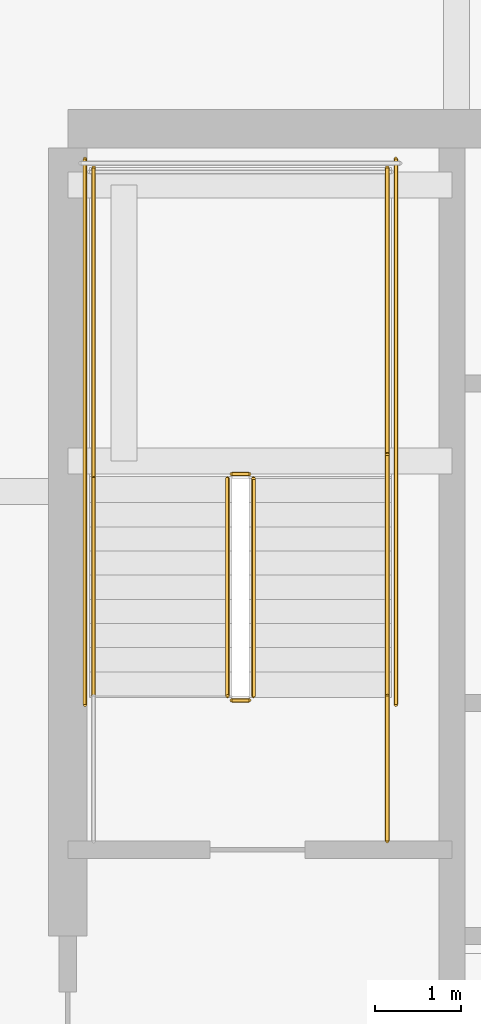
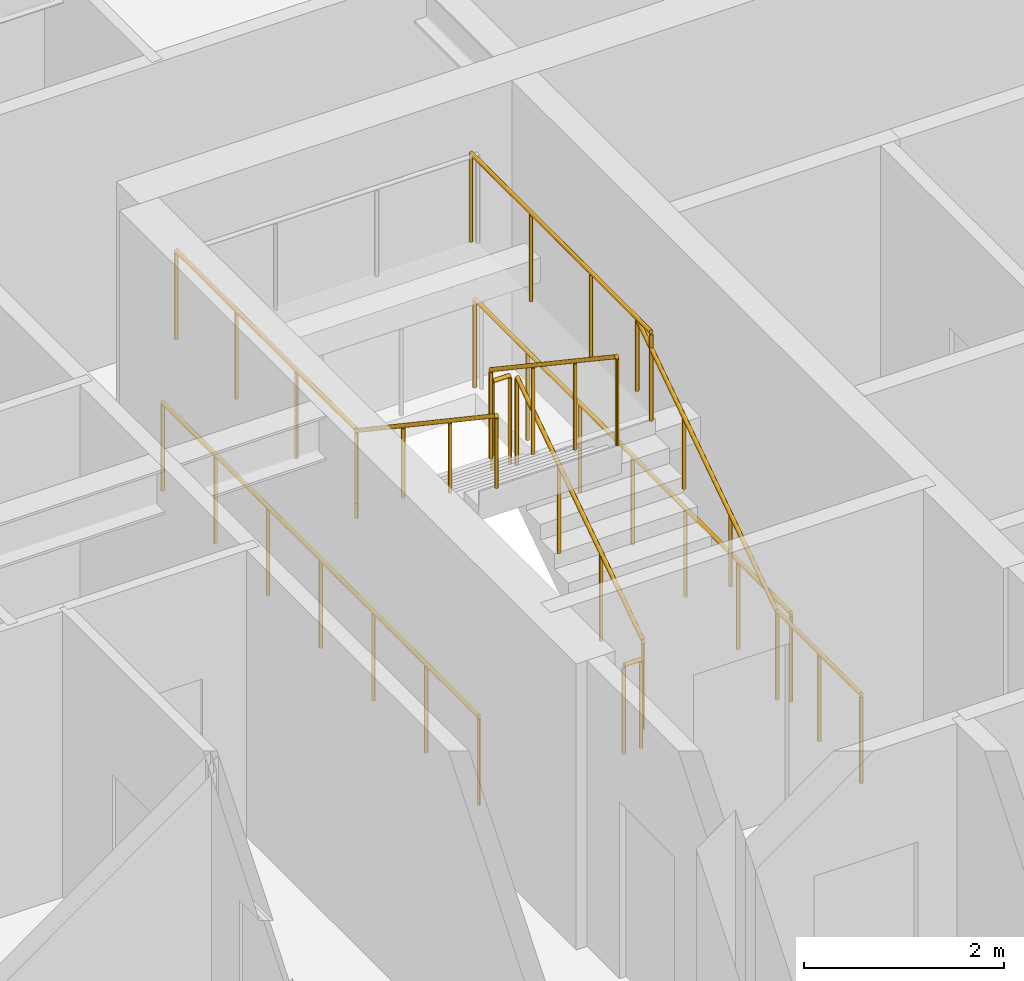
# One storey, part 36 of 39: 11 railings.
"""IFC4 building model written with IfcOpenShell, lengths in metres."""

from ifc_helpers import new_model, si_unit, direction, frame, origin, origin_2d, place, context, subcontext, project, spatial, circle, extrude, material, type_object, element, save


model = new_model("IFC4")

# Units and contexts
model_context = context("Model", 3, precision=1e-05, world=origin(), true_north=direction((0.0, 1.0)))
body_context = subcontext(model_context, "Body", "Model", "MODEL_VIEW")
ifc_project = project(units=[si_unit("LENGTHUNIT", "METRE"), si_unit("AREAUNIT", "SQUARE_METRE"), si_unit("VOLUMEUNIT", "CUBIC_METRE"), si_unit("PLANEANGLEUNIT", "RADIAN"), si_unit("MASSUNIT", "GRAM", prefix="KILO")], contexts=[model_context])

# Site, building, storey
site_placement = place(None, origin())
site = spatial("IfcSite", under=ifc_project, at=site_placement, CompositionType="ELEMENT")
building_placement = place(site_placement, origin())
building = spatial("IfcBuilding", under=site, at=building_placement, Name="Serunith Strait Residences", CompositionType="ELEMENT")
storey_placement = place(building_placement, frame((0.0, 0.0, 97.949951171875)))
storey = spatial("IfcBuildingStorey", under=building, at=storey_placement, Name="L24", CompositionType="ELEMENT", Elevation=97.949951171875)

# Railings
ifc_material = material(Name="Brushed stainless steel 316L", Category="steel")
railing_type_1 = type_object("IfcRailingType", Name="RLG-STAIR-GUARD", PredefinedType="BALUSTRADE", material=ifc_material)
railing_1_placement = place(storey_placement, frame((25.550048828125, 27.030029296875, 0.1875)))
element("IfcRailing", 1, at=railing_1_placement, inside=storey, type_object=railing_type_1, Name="L24 ST-1 stair guard 1", PredefinedType="BALUSTRADE", context=body_context, shape_type="SweptSolid", body=[
    extrude(circle(Radius=0.02392578125, at=origin_2d()), frame((0.0, 0.001708984375, 1.0771484375), z_axis=(0.0, 0.830909170722, 0.55640807867), x_axis=(-1.0, 0.0, 0.0)), (0.0, 0.0, 1.0), 3.02880859375),
    extrude(circle(Radius=0.02099609375, at=origin_2d()), origin(), (0.0, 0.0, 1.0), 1.050048828125),
    extrude(circle(Radius=0.02099609375, at=origin_2d()), frame((0.0, 0.840087890625, 0.5625)), (0.0, 0.0, 1.0), 1.050048828125),
    extrude(circle(Radius=0.02099609375, at=origin_2d()), frame((0.0, 1.679931640625, 1.125)), (0.0, 0.0, 1.0), 1.050048828125),
    extrude(circle(Radius=0.02099609375, at=origin_2d()), frame((0.0, 2.52001953125, 1.6875)), (0.0, 0.0, 1.0), 1.050048828125),
])
railing_2_placement = place(storey_placement, frame((25.5, 29.60009765625, 1.875)))
element("IfcRailing", 2, at=railing_2_placement, inside=storey, type_object=railing_type_1, Name="L24 ST-1 stair guard 2", PredefinedType="BALUSTRADE", context=body_context, shape_type="SweptSolid", body=[
    extrude(circle(Radius=0.02392578125, at=origin_2d()), frame((-0.001953125, 0.0, 1.076171875), z_axis=(-1.0, 0.0, 0.0), x_axis=(0.0, -1.0, 0.0)), (0.0, 0.0, 1.0), 0.196044921875),
    extrude(circle(Radius=0.02099609375, at=origin_2d()), origin(), (0.0, 0.0, 1.0), 1.050048828125),
    extrude(circle(Radius=0.02099609375, at=origin_2d()), frame((-0.199951171875, 0.0, 0.0)), (0.0, 0.0, 1.0), 1.050048828125),
])
for number, where, name in (
    (3, (27.10009765625, 29.550048828125, 1.875), "L24 ST-1 stair guard 3"),
    (4, (23.699951171875, 29.550048828125, 1.875), "L24 ST-1 stair guard 4"),
):
    element("IfcRailing", number, at=place(storey_placement, frame(where)), inside=storey, type_object=railing_type_1, Name=name, PredefinedType="BALUSTRADE", context=body_context, shape_type="SweptSolid", body=[
        extrude(circle(Radius=0.02392578125, at=origin_2d()), frame((0.0, 0.001953125, 1.076171875), z_axis=(0.0, 1.0, 0.0), x_axis=(-1.0, 0.0, 0.0)), (0.0, 0.0, 1.0), 3.595947265625),
        extrude(circle(Radius=0.02099609375, at=origin_2d()), origin(), (0.0, 0.0, 1.0), 1.050048828125),
        extrude(circle(Radius=0.02099609375, at=origin_2d()), frame((0.0, 1.199951171875, 0.0)), (0.0, 0.0, 1.0), 1.050048828125),
        extrude(circle(Radius=0.02099609375, at=origin_2d()), frame((0.0, 2.39990234375, 0.0)), (0.0, 0.0, 1.0), 1.050048828125),
        extrude(circle(Radius=0.02099609375, at=origin_2d()), frame((0.0, 3.599853515625, 0.0)), (0.0, 0.0, 1.0), 1.050048828125),
    ])
railing_3_placement = place(storey_placement, frame((25.25, 29.550048828125, 2.0625)))
element("IfcRailing", 5, at=railing_3_placement, inside=storey, type_object=railing_type_1, Name="L24 ST-1 stair guard 6", PredefinedType="BALUSTRADE", context=body_context, shape_type="SweptSolid", body=[
    extrude(circle(Radius=0.02392578125, at=origin_2d()), frame((0.0, -0.001708984375, 1.0771484375), z_axis=(0.0, -0.830909170722, 0.55640807867), x_axis=(1.0, 0.0, 0.0)), (0.0, 0.0, 1.0), 3.02880859375),
    extrude(circle(Radius=0.02099609375, at=origin_2d()), origin(), (0.0, 0.0, 1.0), 1.050048828125),
    extrude(circle(Radius=0.02099609375, at=origin_2d()), frame((0.0, -0.840087890625, 0.5625)), (0.0, 0.0, 1.0), 1.050048828125),
    extrude(circle(Radius=0.02099609375, at=origin_2d()), frame((0.0, -1.679931640625, 1.125)), (0.0, 0.0, 1.0), 1.050048828125),
    extrude(circle(Radius=0.02099609375, at=origin_2d()), frame((0.0, -2.52001953125, 1.6875)), (0.0, 0.0, 1.0), 1.050048828125),
])
railing_4_placement = place(storey_placement, frame((25.5, 26.97998046875, 0.0)))
element("IfcRailing", 6, at=railing_4_placement, inside=storey, type_object=railing_type_1, Name="L24 ST-1 stair guard 7", PredefinedType="BALUSTRADE", context=body_context, shape_type="SweptSolid", body=[
    extrude(circle(Radius=0.02392578125, at=origin_2d()), frame((-0.001953125, 0.0, 1.076171875), z_axis=(-1.0, 0.0, 0.0), x_axis=(0.0, -1.0, 0.0)), (0.0, 0.0, 1.0), 0.196044921875),
    extrude(circle(Radius=0.02099609375, at=origin_2d()), origin(), (0.0, 0.0, 1.0), 1.050048828125),
    extrude(circle(Radius=0.02099609375, at=origin_2d()), frame((-0.199951171875, 0.0, 0.0)), (0.0, 0.0, 1.0), 1.050048828125),
])
railing_5_placement = place(storey_placement, frame((27.10009765625, 25.35009765625, 0.0)))
element("IfcRailing", 7, at=railing_5_placement, inside=storey, type_object=railing_type_1, Name="L24 ST-1 stair guard 8", PredefinedType="BALUSTRADE", context=body_context, shape_type="SweptSolid", body=[
    extrude(circle(Radius=0.02392578125, at=origin_2d()), frame((0.0, 0.001953125, 1.076171875), z_axis=(0.0, 1.0, 0.0), x_axis=(-1.0, 0.0, 0.0)), (0.0, 0.0, 1.0), 1.676025390625),
    extrude(circle(Radius=0.02099609375, at=origin_2d()), origin(), (0.0, 0.0, 1.0), 1.050048828125),
    extrude(circle(Radius=0.02099609375, at=origin_2d()), frame((0.0, 0.83984375, 0.0)), (0.0, 0.0, 1.0), 1.050048828125),
    extrude(circle(Radius=0.02099609375, at=origin_2d()), frame((0.0, 1.679931640625, 0.0)), (0.0, 0.0, 1.0), 1.050048828125),
])
for number, where, name in (
    (8, (27.199951171875, 26.929931640625, 0.0), "L24 ST-1 stair guard 10"),
    (9, (23.60009765625, 26.929931640625, 0.0), "L24 ST-1 stair guard 11"),
):
    element("IfcRailing", number, at=place(storey_placement, frame(where)), inside=storey, type_object=railing_type_1, Name=name, PredefinedType="BALUSTRADE", context=body_context, shape_type="SweptSolid", body=[
        extrude(circle(Radius=0.02392578125, at=origin_2d()), frame((0.0, 0.001953125, 1.076171875), z_axis=(0.0, 1.0, 0.0), x_axis=(-1.0, 0.0, 0.0)), (0.0, 0.0, 1.0), 6.316162109375),
        extrude(circle(Radius=0.02099609375, at=origin_2d()), origin(), (0.0, 0.0, 1.0), 1.050048828125),
        extrude(circle(Radius=0.02099609375, at=origin_2d()), frame((0.0, 1.05322265625, 0.0)), (0.0, 0.0, 1.0), 1.050048828125),
        extrude(circle(Radius=0.02099609375, at=origin_2d()), frame((0.0, 2.106689453125, 0.0)), (0.0, 0.0, 1.0), 1.050048828125),
        extrude(circle(Radius=0.02099609375, at=origin_2d()), frame((0.0, 3.16015625, 0.0)), (0.0, 0.0, 1.0), 1.050048828125),
        extrude(circle(Radius=0.02099609375, at=origin_2d()), frame((0.0, 4.21337890625, 0.0)), (0.0, 0.0, 1.0), 1.050048828125),
        extrude(circle(Radius=0.02099609375, at=origin_2d()), frame((0.0, 5.2666015625, 0.0)), (0.0, 0.0, 1.0), 1.050048828125),
        extrude(circle(Radius=0.02099609375, at=origin_2d()), frame((0.0, 6.320068359375, 0.0)), (0.0, 0.0, 1.0), 1.050048828125),
    ])
railing_type_2 = type_object("IfcRailingType", Name="RLG-STAIR-HR", PredefinedType="HANDRAIL", material=ifc_material)
railing_6_placement = place(storey_placement, frame((27.10009765625, 27.030029296875, 0.1875)))
element("IfcRailing", 10, at=railing_6_placement, inside=storey, type_object=railing_type_2, Name="L24 ST-1 stair handrail 1", PredefinedType="HANDRAIL", context=body_context, shape_type="SweptSolid", body=[
    extrude(circle(Radius=0.02392578125, at=origin_2d()), frame((0.0, 0.001708984375, 0.876953125), z_axis=(0.0, 0.830208209119, 0.557453432594), x_axis=(-1.0, 0.0, 0.0)), (0.0, 0.0, 1.0), 3.36865234375),
    extrude(circle(Radius=0.02099609375, at=origin_2d()), origin(), (0.0, 0.0, 1.0), 0.849853515625),
    extrude(circle(Radius=0.02099609375, at=origin_2d()), frame((0.0, 0.933349609375, 0.626708984375)), (0.0, 0.0, 1.0), 0.849853515625),
    extrude(circle(Radius=0.02099609375, at=origin_2d()), frame((0.0, 1.86669921875, 1.25341796875)), (0.0, 0.0, 1.0), 0.849853515625),
    extrude(circle(Radius=0.02099609375, at=origin_2d()), frame((0.0, 2.800048828125, 1.880126953125)), (0.0, 0.0, 1.0), 0.849853515625),
])
railing_7_placement = place(storey_placement, frame((23.699951171875, 29.550048828125, 2.0625)))
element("IfcRailing", 11, at=railing_7_placement, inside=storey, type_object=railing_type_2, Name="L24 ST-1 stair handrail 2", PredefinedType="HANDRAIL", context=body_context, shape_type="SweptSolid", body=[
    extrude(circle(Radius=0.02392578125, at=origin_2d()), frame((0.0, -0.001708984375, 0.876953125), z_axis=(0.0, -0.830208209119, 0.557453432594), x_axis=(1.0, 0.0, 0.0)), (0.0, 0.0, 1.0), 3.36865234375),
    extrude(circle(Radius=0.02099609375, at=origin_2d()), origin(), (0.0, 0.0, 1.0), 0.849853515625),
    extrude(circle(Radius=0.02099609375, at=origin_2d()), frame((0.0, -0.933349609375, 0.626708984375)), (0.0, 0.0, 1.0), 0.849853515625),
    extrude(circle(Radius=0.02099609375, at=origin_2d()), frame((0.0, -1.86669921875, 1.25341796875)), (0.0, 0.0, 1.0), 0.849853515625),
    extrude(circle(Radius=0.02099609375, at=origin_2d()), frame((0.0, -2.800048828125, 1.880126953125)), (0.0, 0.0, 1.0), 0.849853515625),
])

save(model, "model.ifc")
